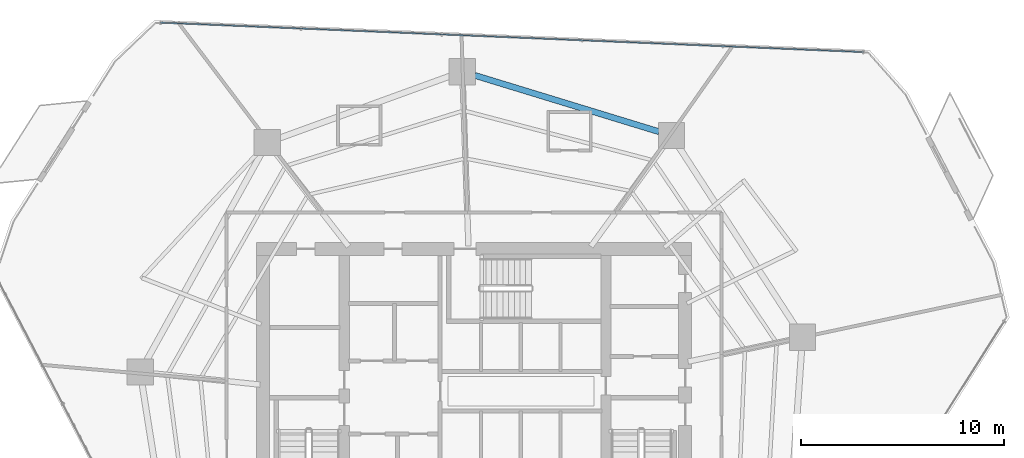
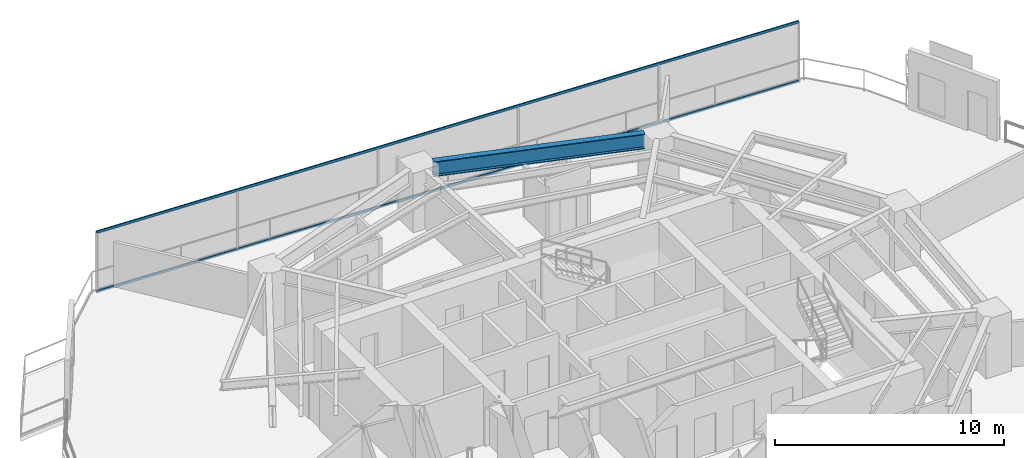
# One storey, part 19 of 30: 2 members, 1 beam, 1 element without a shape of its own.
"""IFC4 building model written with IfcOpenShell, lengths in metres."""

from ifc_helpers import new_model, si_unit, direction, frame, origin, origin_2d, place, context, subcontext, project, spatial, hollow_rectangle, i_section, extrude, material, layer, layer_set, material_profile, profile_set, type_object, element, aggregate, save


model = new_model("IFC4")

# Units and contexts
model_context = context("Model", 3, precision=1e-05, world=origin(), true_north=direction((0.0, 1.0)))
body_context = subcontext(model_context, "Body", "Model", "MODEL_VIEW")
ifc_project = project(units=[si_unit("LENGTHUNIT", "METRE"), si_unit("AREAUNIT", "SQUARE_METRE"), si_unit("VOLUMEUNIT", "CUBIC_METRE"), si_unit("PLANEANGLEUNIT", "RADIAN"), si_unit("MASSUNIT", "GRAM", prefix="KILO")], contexts=[model_context])

# Site, building, storey
site_placement = place(None, origin())
site = spatial("IfcSite", under=ifc_project, at=site_placement, CompositionType="ELEMENT")
building_placement = place(site_placement, origin())
building = spatial("IfcBuilding", under=site, at=building_placement, Name="Qarnah Convention Tower", CompositionType="ELEMENT")
storey_placement = place(building_placement, frame((0.0, 0.0, 58.050048828125)))
storey = spatial("IfcBuildingStorey", under=building, at=storey_placement, Name="L14", CompositionType="ELEMENT", Elevation=58.050048828125)

# Beam
ifc_material_1 = material(Name="Structural steel S355JR", Category="steel")
ifc_material_profile_1 = material_profile(ifc_material_1, i_section(OverallWidth=0.300048828125, OverallDepth=0.800048828125, WebThickness=0.01806640625, FlangeThickness=0.032958984375, at=origin_2d()), Name="HEB800")
ifc_profile_set_1 = profile_set([ifc_material_profile_1], Name="Structural steel S355JR")
beam_type = type_object("IfcBeamType", Name="BM-RING-HEB800", PredefinedType="BEAM", material=ifc_profile_set_1)
beam_placement = place(storey_placement, frame((46.31591796875, 39.97607421875, 2.77001953125), z_axis=(-0.956298871663, 0.292390950707, 0.0), x_axis=(-0.292390950707, -0.956298871663, 0.0)))
element("IfcBeam", 1, at=beam_placement, inside=storey, type_object=beam_type, Name="L14 beam BM-L14-SPN-02", PredefinedType="BEAM", context=body_context, shape_type="SweptSolid", body=[
    extrude(i_section(OverallWidth=0.300048828125, OverallDepth=0.800048828125, WebThickness=0.01806640625, FlangeThickness=0.032958984375, at=origin_2d()), origin(), (0.0, 0.0, 1.0), 9.4970703125),
])

# Curtain wall, members
ifc_material_2 = material(Name="Tempered Low-E dark glass", Category="glass")
ifc_layer = layer(ifc_material_2, 0.16796875)
ifc_layer_set = layer_set([ifc_layer], Name="Tempered Low-E dark glass")
curtain_wall_type = type_object("IfcCurtainWallType", Name="CWS-01", PredefinedType="NOTDEFINED", material=ifc_layer_set)
curtain_wall_placement = place(storey_placement, origin())
curtain_wall = element("IfcCurtainWall", 2, at=curtain_wall_placement, inside=storey, type_object=curtain_wall_type, Name="L14 unitised curtain wall CW-L14-F3", PredefinedType="NOTDEFINED")
ifc_material_3 = material(Name="Black anodised aluminium", Category="aluminium")
ifc_material_profile_2 = material_profile(ifc_material_3, hollow_rectangle(XDim=0.06005859375, YDim=0.1298828125, WallThickness=0.00390625, at=origin_2d()), Name="TRN-60X130")
ifc_profile_set_2 = profile_set([ifc_material_profile_2], Name="Black anodised aluminium")
member_type = type_object("IfcMemberType", Name="TRN-T1", PredefinedType="USERDEFINED", material=ifc_profile_set_2)
member_1_placement = place(storey_placement, frame((21.7470703125, 45.35107421875, 0.0), z_axis=(0.999122608073, -0.04188095078, 0.0), x_axis=(0.04188095078, 0.999122608073, 0.0)))
member_1 = element("IfcMember", 3, at=member_1_placement, type_object=member_type, Name="CW-L14-F3 transom 1", ObjectType="TRANSOM", PredefinedType="USERDEFINED", context=body_context, shape_type="SweptSolid", body=[
    extrude(hollow_rectangle(XDim=0.06005859375, YDim=0.1298828125, WallThickness=0.00390625, at=origin_2d()), origin(), (0.0, 0.0, 1.0), 34.67333984375),
])
member_2_placement = place(storey_placement, frame((21.7470703125, 45.35107421875, 3.169921875), z_axis=(0.999122608073, -0.04188095078, 0.0), x_axis=(0.04188095078, 0.999122608073, 0.0)))
member_2 = element("IfcMember", 4, at=member_2_placement, type_object=member_type, Name="CW-L14-F3 transom 2", ObjectType="TRANSOM", PredefinedType="USERDEFINED", context=body_context, shape_type="SweptSolid", body=[
    extrude(hollow_rectangle(XDim=0.06005859375, YDim=0.1298828125, WallThickness=0.00390625, at=origin_2d()), origin(), (0.0, 0.0, 1.0), 34.67333984375),
])
aggregate(curtain_wall, [member_1, member_2])

save(model, "model.ifc")
